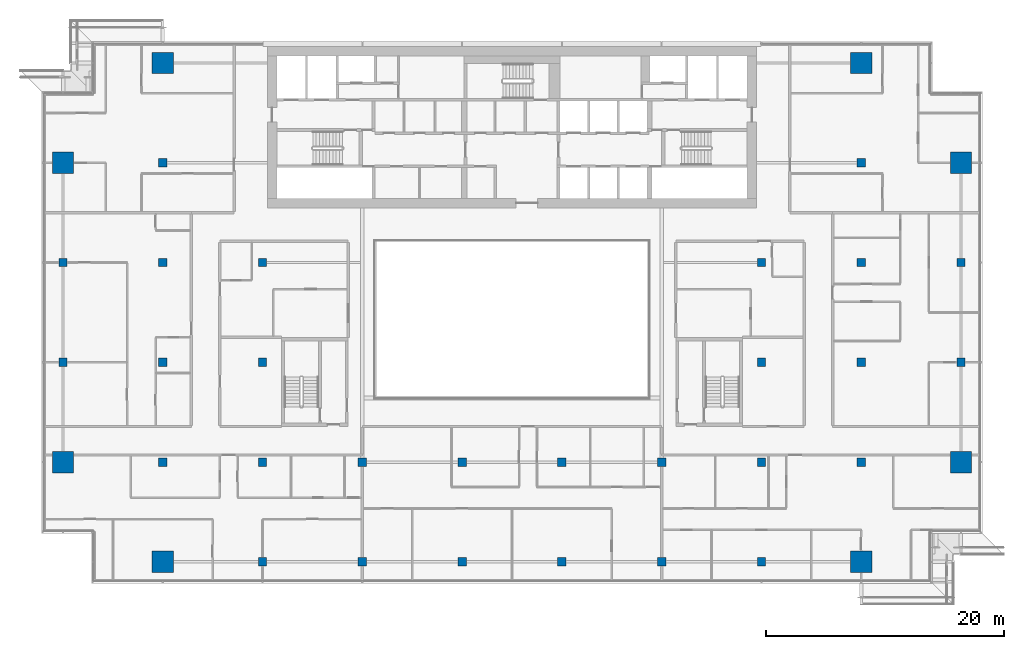
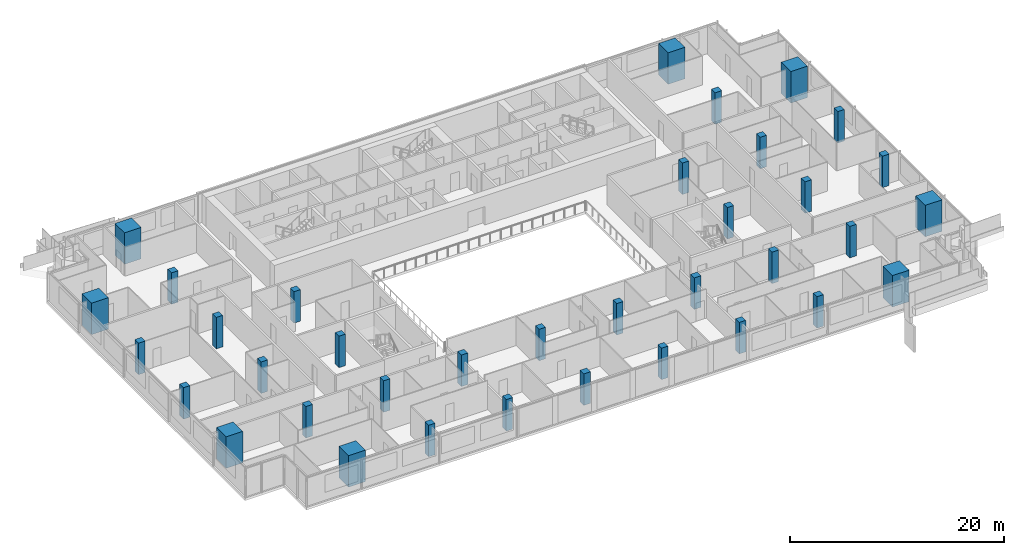
# One storey, part 1 of 30: 36 columns.
"""IFC4 building model written with IfcOpenShell, lengths in metres."""

from ifc_helpers import new_model, si_unit, direction, frame, origin, origin_2d, place, context, subcontext, project, spatial, rectangle, extrude, material, material_profile, profile_set, type_object, element, save


model = new_model("IFC4")

# Units and contexts
model_context = context("Model", 3, precision=1e-05, world=origin(), true_north=direction((0.0, 1.0)))
body_context = subcontext(model_context, "Body", "Model", "MODEL_VIEW")
ifc_project = project(units=[si_unit("LENGTHUNIT", "METRE"), si_unit("AREAUNIT", "SQUARE_METRE"), si_unit("VOLUMEUNIT", "CUBIC_METRE"), si_unit("PLANEANGLEUNIT", "RADIAN"), si_unit("MASSUNIT", "GRAM", prefix="KILO")], contexts=[model_context])

# Site, building, storey
site_placement = place(None, origin())
site = spatial("IfcSite", under=ifc_project, at=site_placement, CompositionType="ELEMENT")
building_placement = place(site_placement, origin())
building = spatial("IfcBuilding", under=site, at=building_placement, Name="Saffron Gate Tower", CompositionType="ELEMENT")
storey_placement = place(building_placement, frame((0.0, 0.0, 179.85009765625)))
storey = spatial("IfcBuildingStorey", under=building, at=storey_placement, Name="L44", CompositionType="ELEMENT", Elevation=179.85009765625)

# Columns
ifc_material_1 = material(Name="Concrete C50", Category="concrete")
ifc_material_profile_1 = material_profile(ifc_material_1, rectangle(XDim=0.699951171875, YDim=0.699951171875, at=origin_2d()))
ifc_profile_set_1 = profile_set([ifc_material_profile_1], Name="Concrete C50")
column_type_1 = type_object("IfcColumnType", Name="C3 RC 700x700 CONCRETE C50", PredefinedType="COLUMN", material=ifc_profile_set_1)
for number, where, z_axis, x_axis, name in (
    (1, (49.800048828125, 48.60009765625, 0.0), (0.0, 0.0, 1.0), (1.0, 0.0, 0.0), "C3 COLUMN X1-C"),
    (2, (49.800048828125, 57.0, 0.0), (0.0, 0.0, 1.0), (1.0, 0.0, 0.0), "C3 COLUMN X1-D"),
    (3, (58.199951171875, 40.199951171875, 0.0), (0.0, 0.0, 1.0), (1.0, 0.0, 0.0), "C3 COLUMN X2-B"),
    (4, (58.199951171875, 48.60009765625, 0.0), (0.0, 0.0, 1.0), (1.0, 0.0, 0.0), "C3 COLUMN X2-C"),
    (5, (58.199951171875, 57.0, 0.0), (0.0, 0.0, 1.0), (1.0, 0.0, 0.0), "C3 COLUMN X2-D"),
    (6, (58.199951171875, 65.39990234375, 0.0), (0.0, 0.0, 1.0), (1.0, 0.0, 0.0), "C3 COLUMN X2-E"),
    (7, (66.60009765625, 31.800048828125, 0.0), (0.0, 0.0, 1.0), (1.0, 0.0, 0.0), "C3 COLUMN X3-A"),
    (8, (66.60009765625, 40.199951171875, 0.0), (0.0, 0.0, 1.0), (1.0, 0.0, 0.0), "C3 COLUMN X3-B"),
    (9, (66.60009765625, 48.60009765625, 0.0), (0.0, 0.0, 1.0), (1.0, 0.0, 0.0), "C3 COLUMN X3-C"),
    (10, (66.60009765625, 57.0, 0.0), (0.0, 0.0, 1.0), (1.0, 0.0, 0.0), "C3 COLUMN X3-D"),
    (11, (75.0, 31.800048828125, 0.0), (0.0, 0.0, 1.0), (1.0, 0.0, 0.0), "C3 COLUMN X4-A"),
    (12, (75.0, 40.199951171875, 0.0), (0.0, 0.0, 1.0), (1.0, 0.0, 0.0), "C3 COLUMN X4-B"),
    (13, (83.39990234375, 31.800048828125, 0.0), (0.0, 0.0, 1.0), (1.0, 0.0, 0.0), "C3 COLUMN X5-A"),
    (14, (83.39990234375, 40.199951171875, 0.0), (0.0, 0.0, 1.0), (1.0, 0.0, 0.0), "C3 COLUMN X5-B"),
    (15, (91.800048828125, 31.800048828125, 0.0), (0.0, 0.0, 1.0), (1.0, 0.0, 0.0), "C3 COLUMN X6-A"),
    (16, (91.800048828125, 40.199951171875, 0.0), (0.0, 0.0, 1.0), (1.0, 0.0, 0.0), "C3 COLUMN X6-B"),
    (17, (100.199951171875, 31.800048828125, 0.0), (0.0, 0.0, 1.0), (1.0, 0.0, 0.0), "C3 COLUMN X7-A"),
    (18, (100.199951171875, 40.199951171875, 0.0), (0.0, 0.0, 1.0), (1.0, 0.0, 0.0), "C3 COLUMN X7-B"),
    (19, (108.60009765625, 31.800048828125, 0.0), (0.0, 0.0, 1.0), (1.0, 0.0, 0.0), "C3 COLUMN X8-A"),
    (20, (108.60009765625, 40.199951171875, 0.0), (0.0, 0.0, 1.0), (1.0, 0.0, 0.0), "C3 COLUMN X8-B"),
    (21, (108.60009765625, 48.60009765625, 0.0), (0.0, 0.0, 1.0), (1.0, 0.0, 0.0), "C3 COLUMN X8-C"),
    (22, (108.60009765625, 57.0, 0.0), (0.0, 0.0, 1.0), (1.0, 0.0, 0.0), "C3 COLUMN X8-D"),
    (23, (117.0, 40.199951171875, 0.0), (0.0, 0.0, 1.0), (1.0, 0.0, 0.0), "C3 COLUMN X9-B"),
    (24, (117.0, 48.60009765625, 0.0), (0.0, 0.0, 1.0), (1.0, 0.0, 0.0), "C3 COLUMN X9-C"),
    (25, (117.0, 57.0, 0.0), (0.0, 0.0, 1.0), (1.0, 0.0, 0.0), "C3 COLUMN X9-D"),
    (26, (117.0, 65.39990234375, 0.0), (0.0, 0.0, 1.0), (1.0, 0.0, 0.0), "C3 COLUMN X9-E"),
    (27, (125.39990234375, 48.60009765625, 0.0), (0.0, 0.0, 1.0), (1.0, 0.0, 0.0), "C3 COLUMN X10-C"),
    (28, (125.39990234375, 57.0, 0.0), (0.0, 0.0, 1.0), (1.0, 0.0, 0.0), "C3 COLUMN X10-D"),
):
    element("IfcColumn", number, at=place(storey_placement, frame(where, z_axis=z_axis, x_axis=x_axis)), inside=storey, type_object=column_type_1, Name=name, PredefinedType="COLUMN", context=body_context, shape_type="SweptSolid", body=[
        extrude(rectangle(XDim=0.699951171875, YDim=0.699951171875, at=origin_2d()), origin(), (0.0, 0.0, 1.0), 3.599853515625),
    ])
ifc_material_2 = material(Name="Concrete C70", Category="concrete")
ifc_material_profile_2 = material_profile(ifc_material_2, rectangle(XDim=1.800048828125, YDim=1.800048828125, at=origin_2d()))
ifc_profile_set_2 = profile_set([ifc_material_profile_2], Name="Concrete C70")
column_type_2 = type_object("IfcColumnType", Name="MC2 RC 1800x1800 CONCRETE C70", PredefinedType="COLUMN", material=ifc_profile_set_2)
for number, where, z_axis, x_axis, name in (
    (29, (49.800048828125, 40.199951171875, 0.0), (0.0, 0.0, 1.0), (1.0, 0.0, 0.0), "MC2 MEGA COLUMN X1-B"),
    (30, (49.800048828125, 65.39990234375, 0.0), (0.0, 0.0, 1.0), (1.0, 0.0, 0.0), "MC2 MEGA COLUMN X1-E"),
    (31, (58.199951171875, 31.800048828125, 0.0), (0.0, 0.0, 1.0), (1.0, 0.0, 0.0), "MC2 MEGA COLUMN X2-A"),
    (32, (58.199951171875, 73.800048828125, 0.0), (0.0, 0.0, 1.0), (1.0, 0.0, 0.0), "MC2 MEGA COLUMN X2-F"),
    (33, (117.0, 31.800048828125, 0.0), (0.0, 0.0, 1.0), (1.0, 0.0, 0.0), "MC2 MEGA COLUMN X9-A"),
    (34, (117.0, 73.800048828125, 0.0), (0.0, 0.0, 1.0), (1.0, 0.0, 0.0), "MC2 MEGA COLUMN X9-F"),
    (35, (125.39990234375, 40.199951171875, 0.0), (0.0, 0.0, 1.0), (1.0, 0.0, 0.0), "MC2 MEGA COLUMN X10-B"),
    (36, (125.39990234375, 65.39990234375, 0.0), (0.0, 0.0, 1.0), (1.0, 0.0, 0.0), "MC2 MEGA COLUMN X10-E"),
):
    element("IfcColumn", number, at=place(storey_placement, frame(where, z_axis=z_axis, x_axis=x_axis)), inside=storey, type_object=column_type_2, Name=name, PredefinedType="COLUMN", context=body_context, shape_type="SweptSolid", body=[
        extrude(rectangle(XDim=1.800048828125, YDim=1.800048828125, at=origin_2d()), origin(), (0.0, 0.0, 1.0), 3.599853515625),
    ])

save(model, "model.ifc")
